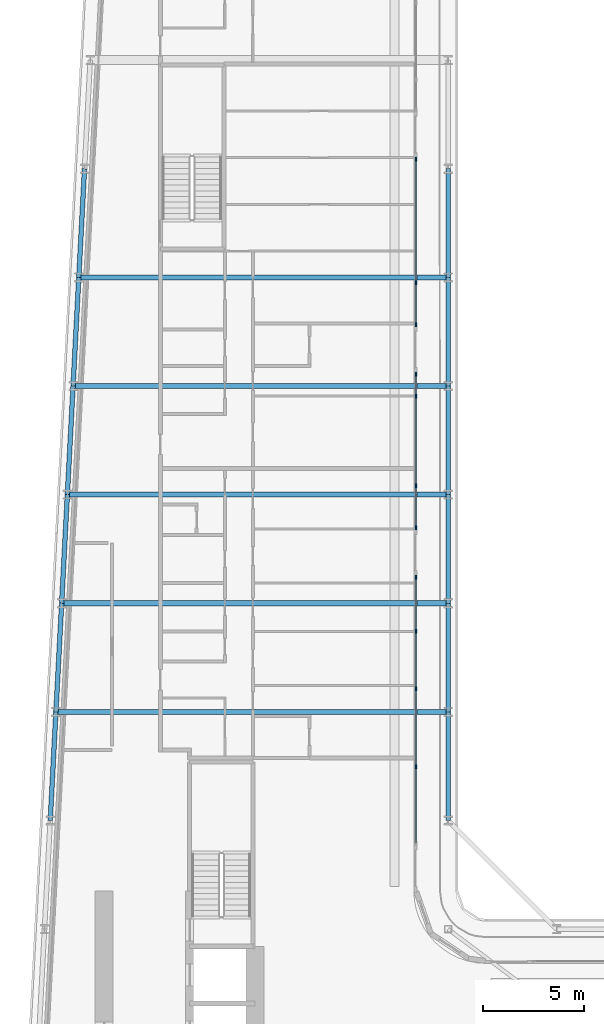
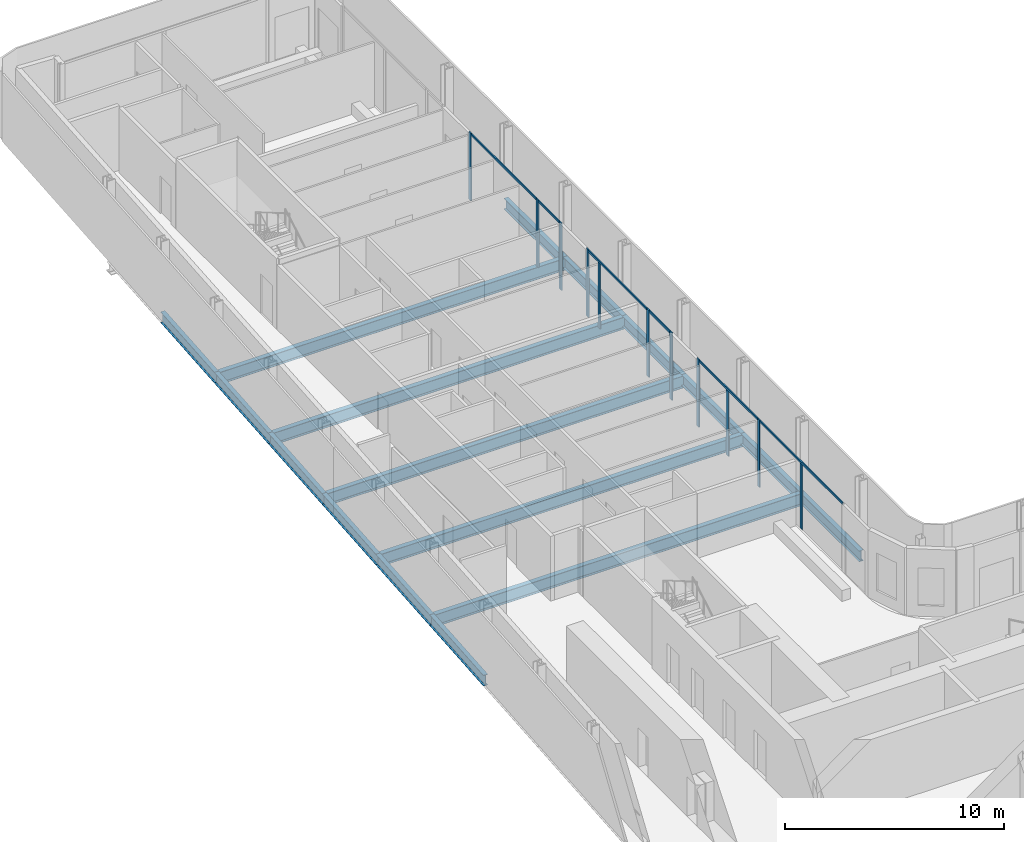
# One storey, part 7 of 29: 17 beams, 17 members, 6 elements without a shape of their own.
"""IFC4 building model written with IfcOpenShell, lengths in metres."""

from ifc_helpers import new_model, si_unit, direction, frame, origin, origin_2d, place, context, subcontext, project, spatial, rectangle, i_section, extrude, material, layer, layer_set, material_profile, profile_set, type_object, element, aggregate, save


model = new_model("IFC4")

# Units and contexts
model_context = context("Model", 3, precision=1e-05, world=origin(), true_north=direction((0.0, 1.0)))
body_context = subcontext(model_context, "Body", "Model", "MODEL_VIEW")
ifc_project = project(units=[si_unit("LENGTHUNIT", "METRE"), si_unit("AREAUNIT", "SQUARE_METRE"), si_unit("VOLUMEUNIT", "CUBIC_METRE"), si_unit("PLANEANGLEUNIT", "RADIAN"), si_unit("MASSUNIT", "GRAM", prefix="KILO")], contexts=[model_context])

# Site, building, storey
site_placement = place(None, origin())
site = spatial("IfcSite", under=ifc_project, at=site_placement, CompositionType="ELEMENT")
building_placement = place(site_placement, origin())
building = spatial("IfcBuilding", under=site, at=building_placement, Name="Kheshtan School and Residences Tower", CompositionType="ELEMENT")
storey_placement = place(building_placement, frame((0.0, 0.0, 117.5)))
storey = spatial("IfcBuildingStorey", under=building, at=storey_placement, Name="L27", CompositionType="ELEMENT", Elevation=117.5)

# Beams
ifc_material_1 = material(Name="Steel ASTM A992 Grade 50", Category="steel")
ifc_material_profile_1 = material_profile(ifc_material_1, i_section(OverallWidth=0.2529296875, OverallDepth=0.677978515625, WebThickness=0.01171875, FlangeThickness=0.016357421875, FilletRadius=0.0146484375, at=origin_2d()), Name="W690x125")
ifc_profile_set_1 = profile_set([ifc_material_profile_1], Name="Steel ASTM A992 Grade 50")
beam_type_1 = type_object("IfcBeamType", Name="Beam FB6 W690x125 ASTM A992 Grade 50", PredefinedType="BEAM", material=ifc_profile_set_1)
beam_1_placement = place(storey_placement, frame((47.60009765625, 78.0, -0.489013671875), z_axis=(-1.0, 0.0, 0.0), x_axis=(0.0, -1.0, 0.0)))
element("IfcBeam", 1, at=beam_1_placement, inside=storey, type_object=beam_type_1, Name="Floor beam C089", PredefinedType="BEAM", context=body_context, shape_type="SweptSolid", body=[
    extrude(i_section(OverallWidth=0.2529296875, OverallDepth=0.677978515625, WebThickness=0.01171875, FlangeThickness=0.016357421875, FilletRadius=0.0146484375, at=origin_2d()), origin(), (0.0, 0.0, 1.0), 18.357177734375),
])
beam_2_placement = place(storey_placement, frame((47.60009765625, 67.199951171875, -0.489013671875), z_axis=(-1.0, 0.0, 0.0), x_axis=(0.0, -1.0, 0.0)))
element("IfcBeam", 2, at=beam_2_placement, inside=storey, type_object=beam_type_1, Name="Floor beam C085", PredefinedType="BEAM", context=body_context, shape_type="SweptSolid", body=[
    extrude(i_section(OverallWidth=0.2529296875, OverallDepth=0.677978515625, WebThickness=0.01171875, FlangeThickness=0.016357421875, FilletRadius=0.0146484375, at=origin_2d()), origin(), (0.0, 0.0, 1.0), 18.926025390625),
])
beam_3_placement = place(storey_placement, frame((47.60009765625, 56.39990234375, -0.489013671875), z_axis=(-1.0, 0.0, 0.0), x_axis=(0.0, -1.0, 0.0)))
element("IfcBeam", 3, at=beam_3_placement, inside=storey, type_object=beam_type_1, Name="Floor beam C081", PredefinedType="BEAM", context=body_context, shape_type="SweptSolid", body=[
    extrude(i_section(OverallWidth=0.2529296875, OverallDepth=0.677978515625, WebThickness=0.01171875, FlangeThickness=0.016357421875, FilletRadius=0.0146484375, at=origin_2d()), origin(), (0.0, 0.0, 1.0), 19.494140625),
])
beam_4_placement = place(storey_placement, frame((28.389892578125, 61.800048828125, -0.489013671875), z_axis=(1.0, 0.0, 0.0), x_axis=(0.0, 1.0, 0.0)))
element("IfcBeam", 4, at=beam_4_placement, inside=storey, type_object=beam_type_1, Name="Floor beam C082", PredefinedType="BEAM", context=body_context, shape_type="SweptSolid", body=[
    extrude(i_section(OverallWidth=0.2529296875, OverallDepth=0.677978515625, WebThickness=0.01171875, FlangeThickness=0.016357421875, FilletRadius=0.0146484375, at=origin_2d()), origin(), (0.0, 0.0, 1.0), 19.210205078125),
])
beam_5_placement = place(storey_placement, frame((28.9580078125, 72.60009765625, -0.489013671875), z_axis=(1.0, 0.0, 0.0), x_axis=(0.0, 1.0, 0.0)))
element("IfcBeam", 5, at=beam_5_placement, inside=storey, type_object=beam_type_1, Name="Floor beam C086", PredefinedType="BEAM", context=body_context, shape_type="SweptSolid", body=[
    extrude(i_section(OverallWidth=0.2529296875, OverallDepth=0.677978515625, WebThickness=0.01171875, FlangeThickness=0.016357421875, FilletRadius=0.0146484375, at=origin_2d()), origin(), (0.0, 0.0, 1.0), 18.64208984375),
])
ifc_material_profile_2 = material_profile(ifc_material_1, i_section(OverallWidth=0.22802734375, OverallDepth=0.60302734375, WebThickness=0.010498046875, FlangeThickness=0.014892578125, FilletRadius=0.013427734375, at=origin_2d()), Name="W610x101")
ifc_profile_set_2 = profile_set([ifc_material_profile_2], Name="Steel ASTM A992 Grade 50")
beam_type_2 = type_object("IfcBeamType", Name="Beam SP2 W610x101 ASTM A992 Grade 50", PredefinedType="BEAM", material=ifc_profile_set_2)
for number, where, z_axis, x_axis, name in (
    (6, (47.60009765625, 83.39990234375, -0.451416015625), (0.0, -1.0, 0.0), (1.0, 0.0, 0.0), "Spandrel beam C091-C089"),
    (7, (47.60009765625, 78.0, -0.451416015625), (0.0, -1.0, 0.0), (1.0, 0.0, 0.0), "Spandrel beam C089-C087"),
):
    element("IfcBeam", number, at=place(storey_placement, frame(where, z_axis=z_axis, x_axis=x_axis)), inside=storey, type_object=beam_type_2, Name=name, PredefinedType="BEAM", context=body_context, shape_type="SweptSolid", body=[
        extrude(i_section(OverallWidth=0.22802734375, OverallDepth=0.60302734375, WebThickness=0.010498046875, FlangeThickness=0.014892578125, FilletRadius=0.013427734375, at=origin_2d()), origin(), (0.0, 0.0, 1.0), 5.39990234375),
    ])
beam_6_placement = place(storey_placement, frame((47.60009765625, 72.60009765625, -0.451416015625), z_axis=(0.0, -1.0, 0.0), x_axis=(1.0, 0.0, 0.0)))
element("IfcBeam", 8, at=beam_6_placement, inside=storey, type_object=beam_type_2, Name="Spandrel beam C087-C085", PredefinedType="BEAM", context=body_context, shape_type="SweptSolid", body=[
    extrude(i_section(OverallWidth=0.22802734375, OverallDepth=0.60302734375, WebThickness=0.010498046875, FlangeThickness=0.014892578125, FilletRadius=0.013427734375, at=origin_2d()), origin(), (0.0, 0.0, 1.0), 5.400146484375),
])
beam_7_placement = place(storey_placement, frame((47.60009765625, 67.199951171875, -0.451416015625), z_axis=(0.0, -1.0, 0.0), x_axis=(1.0, 0.0, 0.0)))
element("IfcBeam", 9, at=beam_7_placement, inside=storey, type_object=beam_type_2, Name="Spandrel beam C085-C083", PredefinedType="BEAM", context=body_context, shape_type="SweptSolid", body=[
    extrude(i_section(OverallWidth=0.22802734375, OverallDepth=0.60302734375, WebThickness=0.010498046875, FlangeThickness=0.014892578125, FilletRadius=0.013427734375, at=origin_2d()), origin(), (0.0, 0.0, 1.0), 5.39990234375),
])
beam_8_placement = place(storey_placement, frame((47.60009765625, 61.800048828125, -0.451416015625), z_axis=(0.0, -1.0, 0.0), x_axis=(1.0, 0.0, 0.0)))
element("IfcBeam", 10, at=beam_8_placement, inside=storey, type_object=beam_type_2, Name="Spandrel beam C083-C081", PredefinedType="BEAM", context=body_context, shape_type="SweptSolid", body=[
    extrude(i_section(OverallWidth=0.22802734375, OverallDepth=0.60302734375, WebThickness=0.010498046875, FlangeThickness=0.014892578125, FilletRadius=0.013427734375, at=origin_2d()), origin(), (0.0, 0.0, 1.0), 5.400146484375),
])
beam_9_placement = place(storey_placement, frame((47.60009765625, 56.39990234375, -0.451416015625), z_axis=(0.0, -1.0, 0.0), x_axis=(1.0, 0.0, 0.0)))
element("IfcBeam", 11, at=beam_9_placement, inside=storey, type_object=beam_type_2, Name="Spandrel beam C081-C079", PredefinedType="BEAM", context=body_context, shape_type="SweptSolid", body=[
    extrude(i_section(OverallWidth=0.22802734375, OverallDepth=0.60302734375, WebThickness=0.010498046875, FlangeThickness=0.014892578125, FilletRadius=0.013427734375, at=origin_2d()), origin(), (0.0, 0.0, 1.0), 5.39990234375),
])
beam_10_placement = place(storey_placement, frame((27.822021484375, 51.0, -0.451416015625), z_axis=(0.05250906864, 0.998620447272, 0.0), x_axis=(-0.998620447272, 0.05250906864, 0.0)))
element("IfcBeam", 12, at=beam_10_placement, inside=storey, type_object=beam_type_2, Name="Spandrel beam C078-C080", PredefinedType="BEAM", context=body_context, shape_type="SweptSolid", body=[
    extrude(i_section(OverallWidth=0.22802734375, OverallDepth=0.60302734375, WebThickness=0.010498046875, FlangeThickness=0.014892578125, FilletRadius=0.013427734375, at=origin_2d()), origin(), (0.0, 0.0, 1.0), 5.407470703125),
])
beam_11_placement = place(storey_placement, frame((28.10595703125, 56.39990234375, -0.451416015625), z_axis=(0.05250670125, 0.998620571751, 0.0), x_axis=(-0.998620571751, 0.05250670125, 0.0)))
element("IfcBeam", 13, at=beam_11_placement, inside=storey, type_object=beam_type_2, Name="Spandrel beam C080-C082", PredefinedType="BEAM", context=body_context, shape_type="SweptSolid", body=[
    extrude(i_section(OverallWidth=0.22802734375, OverallDepth=0.60302734375, WebThickness=0.010498046875, FlangeThickness=0.014892578125, FilletRadius=0.013427734375, at=origin_2d()), origin(), (0.0, 0.0, 1.0), 5.40771484375),
])
beam_12_placement = place(storey_placement, frame((28.389892578125, 61.800048828125, -0.451416015625), z_axis=(0.052554093665, 0.998618078766, 0.0), x_axis=(-0.998618078766, 0.052554093665, 0.0)))
element("IfcBeam", 14, at=beam_12_placement, inside=storey, type_object=beam_type_2, Name="Spandrel beam C082-C084", PredefinedType="BEAM", context=body_context, shape_type="SweptSolid", body=[
    extrude(i_section(OverallWidth=0.22802734375, OverallDepth=0.60302734375, WebThickness=0.010498046875, FlangeThickness=0.014892578125, FilletRadius=0.013427734375, at=origin_2d()), origin(), (0.0, 0.0, 1.0), 5.407470703125),
])
beam_13_placement = place(storey_placement, frame((28.674072265625, 67.199951171875, -0.451416015625), z_axis=(0.05250670125, 0.998620571751, 0.0), x_axis=(-0.998620571751, 0.05250670125, 0.0)))
element("IfcBeam", 15, at=beam_13_placement, inside=storey, type_object=beam_type_2, Name="Spandrel beam C084-C086", PredefinedType="BEAM", context=body_context, shape_type="SweptSolid", body=[
    extrude(i_section(OverallWidth=0.22802734375, OverallDepth=0.60302734375, WebThickness=0.010498046875, FlangeThickness=0.014892578125, FilletRadius=0.013427734375, at=origin_2d()), origin(), (0.0, 0.0, 1.0), 5.40771484375),
])
for number, where, z_axis, x_axis, name in (
    (16, (28.9580078125, 72.60009765625, -0.451416015625), (0.052689166816, 0.998610961136, 0.0), (-0.998610961136, 0.052689166816, 0.0), "Spandrel beam C086-C088"),
    (17, (29.242919921875, 78.0, -0.451416015625), (0.052554093665, 0.998618078766, 0.0), (-0.998618078766, 0.052554093665, 0.0), "Spandrel beam C088-C090"),
):
    element("IfcBeam", number, at=place(storey_placement, frame(where, z_axis=z_axis, x_axis=x_axis)), inside=storey, type_object=beam_type_2, Name=name, PredefinedType="BEAM", context=body_context, shape_type="SweptSolid", body=[
        extrude(i_section(OverallWidth=0.22802734375, OverallDepth=0.60302734375, WebThickness=0.010498046875, FlangeThickness=0.014892578125, FilletRadius=0.013427734375, at=origin_2d()), origin(), (0.0, 0.0, 1.0), 5.407470703125),
    ])

# Curtain wall, members
ifc_material_2 = material(Name="Clear low-e glass in thermally broken aluminium frame", Category="aluminium")
ifc_layer = layer(ifc_material_2, 0.199951171875)
ifc_layer_set = layer_set([ifc_layer], Name="Curtain wall CW-L")
curtain_wall_type = type_object("IfcCurtainWallType", Name="Curtain wall CW-L", PredefinedType="NOTDEFINED", material=ifc_layer_set)
curtain_wall_1_placement = place(storey_placement, origin())
curtain_wall_1 = element("IfcCurtainWall", 18, at=curtain_wall_1_placement, inside=storey, type_object=curtain_wall_type, Name="Curtain wall CWL8d", PredefinedType="NOTDEFINED")
ifc_material_3 = material(Name="Thermally broken aluminium, dark bronze anodised", Category="aluminium")
ifc_material_profile_3 = material_profile(ifc_material_3, rectangle(XDim=0.06005859375, YDim=0.199951171875, at=origin_2d()), Name="CW-L mullion 60x200")
ifc_profile_set_3 = profile_set([ifc_material_profile_3], Name="Thermally broken aluminium, dark bronze anodised")
member_type_1 = type_object("IfcMemberType", Name="CW-L mullion 60x200", PredefinedType="MULLION", material=ifc_profile_set_3)
member_1_placement = place(storey_placement, frame((46.0, 83.8759765625, 0.0), z_axis=(0.0, 0.0, 1.0), x_axis=(1.0, 0.0, 0.0)))
member_1 = element("IfcMember", 19, at=member_1_placement, type_object=member_type_1, Name="CWL8d mullion 1", PredefinedType="MULLION", context=body_context, shape_type="SweptSolid", body=[
    extrude(rectangle(XDim=0.06005859375, YDim=0.199951171875, at=origin_2d()), origin(), (0.0, 0.0, 1.0), 3.75),
])
member_2_placement = place(storey_placement, frame((46.0, 77.741943359375, 0.0), z_axis=(0.0, 0.0, 1.0), x_axis=(1.0, 0.0, 0.0)))
member_2 = element("IfcMember", 20, at=member_2_placement, type_object=member_type_1, Name="CWL8d mullion 2", PredefinedType="MULLION", context=body_context, shape_type="SweptSolid", body=[
    extrude(rectangle(XDim=0.06005859375, YDim=0.199951171875, at=origin_2d()), origin(), (0.0, 0.0, 1.0), 3.75),
])

# Curtain wall, member
curtain_wall_2_placement = place(storey_placement, origin())
curtain_wall_2 = element("IfcCurtainWall", 21, at=curtain_wall_2_placement, inside=storey, type_object=curtain_wall_type, Name="Curtain wall CWL8i", PredefinedType="NOTDEFINED")
member_3_placement = place(storey_placement, frame((46.0, 75.64208984375, 0.0), z_axis=(0.0, 0.0, 1.0), x_axis=(1.0, 0.0, 0.0)))
member_3 = element("IfcMember", 22, at=member_3_placement, type_object=member_type_1, Name="CWL8i mullion 2", PredefinedType="MULLION", context=body_context, shape_type="SweptSolid", body=[
    extrude(rectangle(XDim=0.06005859375, YDim=0.199951171875, at=origin_2d()), origin(), (0.0, 0.0, 1.0), 3.75),
])

# Curtain wall, members
curtain_wall_3_placement = place(storey_placement, origin())
curtain_wall_3 = element("IfcCurtainWall", 23, at=curtain_wall_3_placement, inside=storey, type_object=curtain_wall_type, Name="Curtain wall CWL8l", PredefinedType="NOTDEFINED")
member_4_placement = place(storey_placement, frame((46.0, 73.181884765625, 0.0), z_axis=(0.0, 0.0, 1.0), x_axis=(1.0, 0.0, 0.0)))
member_4 = element("IfcMember", 24, at=member_4_placement, type_object=member_type_1, Name="CWL8l mullion 1", PredefinedType="MULLION", context=body_context, shape_type="SweptSolid", body=[
    extrude(rectangle(XDim=0.06005859375, YDim=0.199951171875, at=origin_2d()), origin(), (0.0, 0.0, 1.0), 3.75),
])
member_5_placement = place(storey_placement, frame((46.0, 72.10009765625, 0.0), z_axis=(0.0, 0.0, 1.0), x_axis=(1.0, 0.0, 0.0)))
member_5 = element("IfcMember", 25, at=member_5_placement, type_object=member_type_1, Name="CWL8l mullion 2", PredefinedType="MULLION", context=body_context, shape_type="SweptSolid", body=[
    extrude(rectangle(XDim=0.06005859375, YDim=0.199951171875, at=origin_2d()), origin(), (0.0, 0.0, 1.0), 3.6298828125),
])
member_6_placement = place(storey_placement, frame((46.0, 67.64794921875, 0.0), z_axis=(0.0, 0.0, 1.0), x_axis=(1.0, 0.0, 0.0)))
member_6 = element("IfcMember", 26, at=member_6_placement, type_object=member_type_1, Name="CWL8l mullion 3", PredefinedType="MULLION", context=body_context, shape_type="SweptSolid", body=[
    extrude(rectangle(XDim=0.06005859375, YDim=0.199951171875, at=origin_2d()), origin(), (0.0, 0.0, 1.0), 3.75),
])

# Curtain wall, member
curtain_wall_4_placement = place(storey_placement, origin())
curtain_wall_4 = element("IfcCurtainWall", 27, at=curtain_wall_4_placement, inside=storey, type_object=curtain_wall_type, Name="Curtain wall CWL8i", PredefinedType="NOTDEFINED")
member_7_placement = place(storey_placement, frame((46.0, 65.548095703125, 0.0), z_axis=(0.0, 0.0, 1.0), x_axis=(1.0, 0.0, 0.0)))
member_7 = element("IfcMember", 28, at=member_7_placement, type_object=member_type_1, Name="CWL8i mullion 2", PredefinedType="MULLION", context=body_context, shape_type="SweptSolid", body=[
    extrude(rectangle(XDim=0.06005859375, YDim=0.199951171875, at=origin_2d()), origin(), (0.0, 0.0, 1.0), 3.75),
])

# Curtain wall, members
curtain_wall_5_placement = place(storey_placement, origin())
curtain_wall_5 = element("IfcCurtainWall", 29, at=curtain_wall_5_placement, inside=storey, type_object=curtain_wall_type, Name="Curtain wall CWL8l", PredefinedType="NOTDEFINED")
member_8_placement = place(storey_placement, frame((46.0, 63.087890625, 0.0), z_axis=(0.0, 0.0, 1.0), x_axis=(1.0, 0.0, 0.0)))
member_8 = element("IfcMember", 30, at=member_8_placement, type_object=member_type_1, Name="CWL8l mullion 1", PredefinedType="MULLION", context=body_context, shape_type="SweptSolid", body=[
    extrude(rectangle(XDim=0.06005859375, YDim=0.199951171875, at=origin_2d()), origin(), (0.0, 0.0, 1.0), 3.75),
])
member_9_placement = place(storey_placement, frame((46.0, 60.39990234375, 0.0), z_axis=(0.0, 0.0, 1.0), x_axis=(1.0, 0.0, 0.0)))
member_9 = element("IfcMember", 31, at=member_9_placement, type_object=member_type_1, Name="CWL8l mullion 2", PredefinedType="MULLION", context=body_context, shape_type="SweptSolid", body=[
    extrude(rectangle(XDim=0.06005859375, YDim=0.199951171875, at=origin_2d()), origin(), (0.0, 0.0, 1.0), 3.6298828125),
])
member_10_placement = place(storey_placement, frame((46.0, 57.553955078125, 0.0), z_axis=(0.0, 0.0, 1.0), x_axis=(1.0, 0.0, 0.0)))
member_10 = element("IfcMember", 32, at=member_10_placement, type_object=member_type_1, Name="CWL8l mullion 3", PredefinedType="MULLION", context=body_context, shape_type="SweptSolid", body=[
    extrude(rectangle(XDim=0.06005859375, YDim=0.199951171875, at=origin_2d()), origin(), (0.0, 0.0, 1.0), 3.75),
])

# Curtain wall, member
curtain_wall_6_placement = place(storey_placement, origin())
curtain_wall_6 = element("IfcCurtainWall", 33, at=curtain_wall_6_placement, inside=storey, type_object=curtain_wall_type, Name="Curtain wall CWL8", PredefinedType="NOTDEFINED")
member_11_placement = place(storey_placement, frame((46.0, 53.677001953125, 0.0), z_axis=(0.0, 0.0, 1.0), x_axis=(1.0, 0.0, 0.0)))
member_11 = element("IfcMember", 34, at=member_11_placement, type_object=member_type_1, Name="CWL8 mullion 2", PredefinedType="MULLION", context=body_context, shape_type="SweptSolid", body=[
    extrude(rectangle(XDim=0.06005859375, YDim=0.199951171875, at=origin_2d()), origin(), (0.0, 0.0, 1.0), 3.6298828125),
])

# Member
ifc_material_profile_4 = material_profile(ifc_material_3, rectangle(XDim=0.06005859375, YDim=0.1201171875, at=origin_2d()), Name="CW-L transom 60x120")
ifc_profile_set_4 = profile_set([ifc_material_profile_4], Name="Thermally broken aluminium, dark bronze anodised")
member_type_2 = type_object("IfcMemberType", Name="CW-L transom 60x120", PredefinedType="USERDEFINED", material=ifc_profile_set_4)
member_12_placement = place(storey_placement, frame((46.0, 83.845947265625, 3.68994140625), z_axis=(0.0, -1.0, 0.0), x_axis=(1.0, 0.0, 0.0)))
member_12 = element("IfcMember", 35, at=member_12_placement, type_object=member_type_2, Name="CWL8d transom 1", ObjectType="TRANSOM", PredefinedType="USERDEFINED", context=body_context, shape_type="SweptSolid", body=[
    extrude(rectangle(XDim=0.06005859375, YDim=0.1201171875, at=origin_2d()), origin(), (0.0, 0.0, 1.0), 6.073974609375),
])

aggregate(curtain_wall_1, [member_1, member_2, member_12])

member_13_placement = place(storey_placement, frame((46.0, 77.7119140625, 3.68994140625), z_axis=(0.0, -1.0, 0.0), x_axis=(1.0, 0.0, 0.0)))
member_13 = element("IfcMember", 36, at=member_13_placement, type_object=member_type_2, Name="CWL8i transom 1", ObjectType="TRANSOM", PredefinedType="USERDEFINED", context=body_context, shape_type="SweptSolid", body=[
    extrude(rectangle(XDim=0.06005859375, YDim=0.1201171875, at=origin_2d()), origin(), (0.0, 0.0, 1.0), 2.039794921875),
])

aggregate(curtain_wall_2, [member_3, member_13])

member_14_placement = place(storey_placement, frame((46.0, 73.152099609375, 3.68994140625), z_axis=(0.0, -1.0, 0.0), x_axis=(1.0, 0.0, 0.0)))
member_14 = element("IfcMember", 37, at=member_14_placement, type_object=member_type_2, Name="CWL8l transom 1", ObjectType="TRANSOM", PredefinedType="USERDEFINED", context=body_context, shape_type="SweptSolid", body=[
    extrude(rectangle(XDim=0.06005859375, YDim=0.1201171875, at=origin_2d()), origin(), (0.0, 0.0, 1.0), 5.47412109375),
])

aggregate(curtain_wall_3, [member_4, member_5, member_6, member_14])

member_15_placement = place(storey_placement, frame((46.0, 67.617919921875, 3.68994140625), z_axis=(0.0, -1.0, 0.0), x_axis=(1.0, 0.0, 0.0)))
member_15 = element("IfcMember", 38, at=member_15_placement, type_object=member_type_2, Name="CWL8i transom 1", ObjectType="TRANSOM", PredefinedType="USERDEFINED", context=body_context, shape_type="SweptSolid", body=[
    extrude(rectangle(XDim=0.06005859375, YDim=0.1201171875, at=origin_2d()), origin(), (0.0, 0.0, 1.0), 2.0400390625),
])

aggregate(curtain_wall_4, [member_7, member_15])

member_16_placement = place(storey_placement, frame((46.0, 63.05810546875, 3.68994140625), z_axis=(0.0, -1.0, 0.0), x_axis=(1.0, 0.0, 0.0)))
member_16 = element("IfcMember", 39, at=member_16_placement, type_object=member_type_2, Name="CWL8l transom 1", ObjectType="TRANSOM", PredefinedType="USERDEFINED", context=body_context, shape_type="SweptSolid", body=[
    extrude(rectangle(XDim=0.06005859375, YDim=0.1201171875, at=origin_2d()), origin(), (0.0, 0.0, 1.0), 5.47412109375),
])

aggregate(curtain_wall_5, [member_8, member_9, member_10, member_16])

member_17_placement = place(storey_placement, frame((46.0, 57.52392578125, 3.68994140625), z_axis=(0.0, -1.0, 0.0), x_axis=(1.0, 0.0, 0.0)))
member_17 = element("IfcMember", 40, at=member_17_placement, type_object=member_type_2, Name="CWL8 transom 1", ObjectType="TRANSOM", PredefinedType="USERDEFINED", context=body_context, shape_type="SweptSolid", body=[
    extrude(rectangle(XDim=0.06005859375, YDim=0.1201171875, at=origin_2d()), origin(), (0.0, 0.0, 1.0), 7.634033203125),
])

aggregate(curtain_wall_6, [member_11, member_17])

save(model, "model.ifc")
